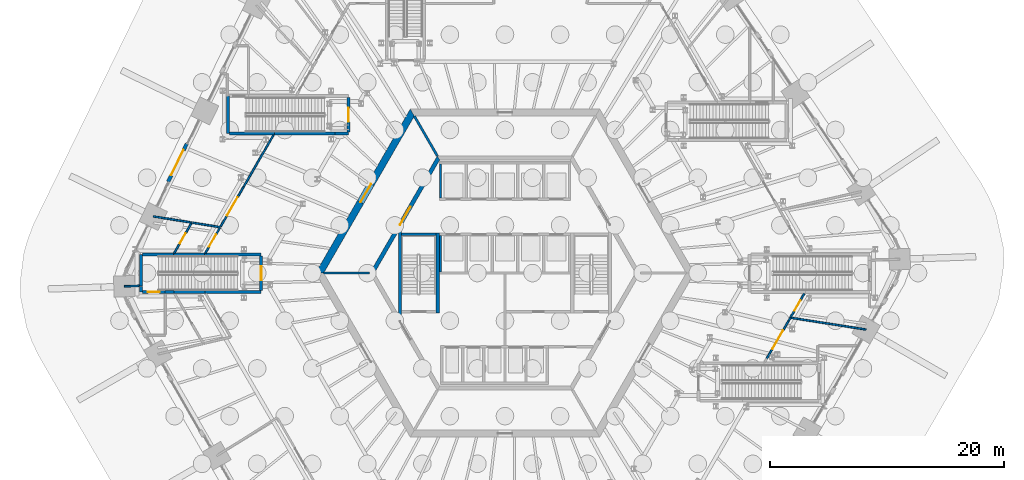
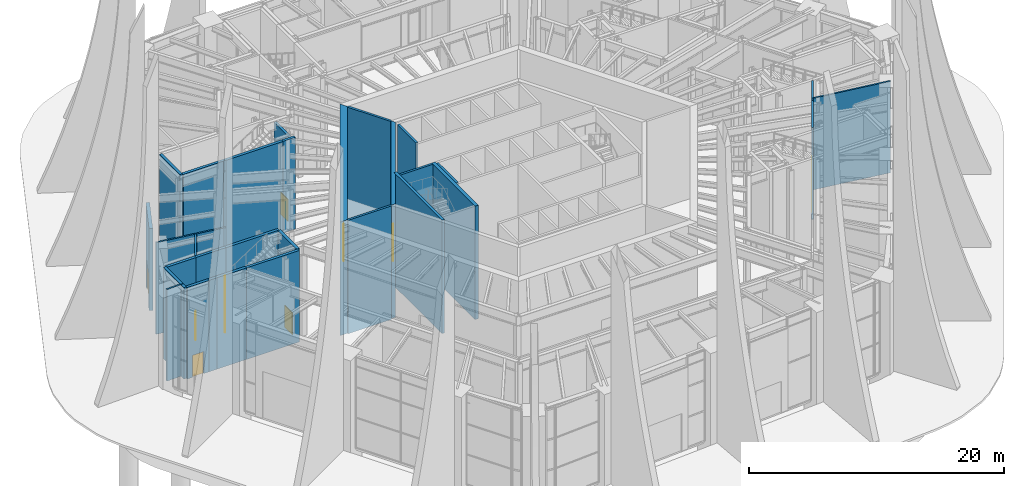
# One storey, part 27 of 43: 37 walls, 11 doors, 11 openings.
"""IFC4 building model written with IfcOpenShell, lengths in metres."""

from ifc_helpers import new_model, si_unit, direction, frame, frame_2d, origin, place, context, subcontext, project, spatial, polyline, rectangle, outline, extrude, material, layer, layer_set, type_object, element, fill, save


model = new_model("IFC4")

# Units and contexts
model_context = context("Model", 3, precision=1e-05, world=origin(), true_north=direction((0.0, 1.0)))
body_context = subcontext(model_context, "Body", "Model", "MODEL_VIEW")
ifc_project = project(units=[si_unit("LENGTHUNIT", "METRE"), si_unit("AREAUNIT", "SQUARE_METRE"), si_unit("VOLUMEUNIT", "CUBIC_METRE"), si_unit("PLANEANGLEUNIT", "RADIAN"), si_unit("MASSUNIT", "GRAM", prefix="KILO")], contexts=[model_context])

# Site, building, storey
site_placement = place(None, origin())
site = spatial("IfcSite", under=ifc_project, at=site_placement, CompositionType="ELEMENT")
building_placement = place(site_placement, origin())
building = spatial("IfcBuilding", under=site, at=building_placement, Name="Tarnside Tower", CompositionType="ELEMENT")
storey_placement = place(building_placement, origin())
storey = spatial("IfcBuildingStorey", under=building, at=storey_placement, Name="L00", CompositionType="ELEMENT", Elevation=0.0)

# Wall, opening, door
ifc_material_1 = material(Name="Concrete C50/60", Category="concrete")
ifc_layer_1 = layer(ifc_material_1, 0.35009765625)
ifc_layer_set_1 = layer_set([ifc_layer_1], Name="Core block wall 350 C50/60")
wall_type_1 = type_object("IfcWallType", Name="Core block wall 350 C50/60", PredefinedType="SHEAR", material=ifc_layer_set_1)
wall_1_placement = place(storey_placement, frame((-5.672607421875, 9.824951171875, -2.10009765625), z_axis=(0.0, 0.0, 1.0), x_axis=(-0.499995046907, -0.866028263435, 0.0)))
wall_1 = element("IfcWall", 1, at=wall_1_placement, inside=storey, type_object=wall_type_1, Name="L00 core block wall face 2", PredefinedType="SHEAR", context=body_context, shape_type="SweptSolid", body=[
    extrude(outline(polyline([(-0.10107421875, -0.175048828125), (11.44580078125, -0.175048828125), (11.24365234375, 0.175048828125), (0.10107421875, 0.175048828125), (-0.10107421875, -0.175048828125)])), origin(), (0.0, 0.0, 1.0), 10.85009765625),
])
opening_1_placement = place(wall_1_placement, frame((4.80126953125, 0.0, 2.10009765625)))
opening_1 = element("IfcOpeningElement", 2, at=opening_1_placement, cuts=wall_1, Name="Opening CD-LOB", PredefinedType="OPENING", context=body_context, shape_type="SweptSolid", body=[
    extrude(rectangle(XDim=1.800048828125, YDim=2.39990234375, at=frame_2d((0.89990234375, 1.199951171875))), frame((0.0, 0.18505859375, 0.0), z_axis=(0.0, -1.0, 0.0), x_axis=(1.0, 0.0, 0.0)), (0.0, 0.0, 1.0), 0.3701171875),
])
ifc_material_2 = material(Name="Steel fire door", Category="steel")
door_type_1 = type_object("IfcDoorType", Name="Lobby double door FD30S 1800x2400", OperationType="NOTDEFINED", PredefinedType="DOOR", material=ifc_material_2)
door_1_placement = place(opening_1_placement, origin())
door_1 = element("IfcDoor", 3, at=door_1_placement, inside=storey, type_object=door_type_1, Name="L00 lobby block door P1", OperationType="DOUBLE_DOOR_SINGLE_SWING", OverallHeight=2.39990234375, OverallWidth=1.800048828125, PredefinedType="DOOR", context=body_context, shape_type="SweptSolid", body=[
    extrude(rectangle(XDim=1.800048828125, YDim=2.39990234375, at=frame_2d((0.89990234375, 1.199951171875))), frame((0.0, 0.02490234375, 0.0), z_axis=(0.0, -1.0, 0.0), x_axis=(1.0, 0.0, 0.0)), (0.0, 0.0, 1.0), 0.050048828125),
])
fill(opening_1, door_1)

ifc_material_3 = material(Name="Concrete C80/95", Category="concrete")
ifc_layer_2 = layer(ifc_material_3, 0.60009765625)
ifc_layer_set_2 = layer_set([ifc_layer_2], Name="Core wall Z1 600 C80/95")
wall_type_2 = type_object("IfcWallType", Name="Core wall Z1 600 C80/95", PredefinedType="SHEAR", material=ifc_layer_set_2)
wall_2_placement = place(storey_placement, frame((-7.90966796875, 13.699951171875, -2.10009765625), z_axis=(0.0, 0.0, 1.0), x_axis=(-0.499999880136, -0.866025472988, 0.0)))
wall_2 = element("IfcWall", 4, at=wall_2_placement, inside=storey, type_object=wall_type_2, Name="L00 core wall face 2", PredefinedType="SHEAR", context=body_context, shape_type="SweptSolid", body=[
    extrude(outline(polyline([(-0.17333984375, -0.300048828125), (15.99267578125, -0.300048828125), (15.64599609375, 0.300048828125), (0.17333984375, 0.300048828125), (-0.17333984375, -0.300048828125)])), origin(), (0.0, 0.0, 1.0), 10.85009765625),
])
opening_2_placement = place(wall_2_placement, frame((7.03857421875, 0.0, 2.10009765625)))
opening_2 = element("IfcOpeningElement", 5, at=opening_2_placement, cuts=wall_2, Name="Opening CD-LOB", PredefinedType="OPENING", context=body_context, shape_type="SweptSolid", body=[
    extrude(rectangle(XDim=1.800048828125, YDim=2.39990234375, at=frame_2d((0.89990234375, 1.199951171875))), frame((0.0, 0.31005859375, 0.0), z_axis=(0.0, -1.0, 0.0), x_axis=(1.0, 0.0, 0.0)), (0.0, 0.0, 1.0), 0.6201171875),
])
door_2_placement = place(opening_2_placement, origin())
door_2 = element("IfcDoor", 6, at=door_2_placement, inside=storey, type_object=door_type_1, Name="L00 core door P1", OperationType="DOUBLE_DOOR_SINGLE_SWING", OverallHeight=2.39990234375, OverallWidth=1.800048828125, PredefinedType="DOOR", context=body_context, shape_type="SweptSolid", body=[
    extrude(rectangle(XDim=1.800048828125, YDim=2.39990234375, at=frame_2d((0.89990234375, 1.199951171875))), frame((0.0, 0.02490234375, 0.0), z_axis=(0.0, -1.0, 0.0), x_axis=(1.0, 0.0, 0.0)), (0.0, 0.0, 1.0), 0.050048828125),
])
fill(opening_2, door_2)

ifc_material_4 = material(Name="Concrete C50/60 white precast", Category="concrete")
ifc_layer_3 = layer(ifc_material_4, 0.300048828125)
ifc_layer_set_3 = layer_set([ifc_layer_3], Name="Entrance portal wall 300")
wall_type_3 = type_object("IfcWallType", Name="Entrance portal wall 300", PredefinedType="SOLIDWALL", material=ifc_layer_set_3)
wall_3_placement = place(storey_placement, frame((-27.166748046875, 11.024169921875, 0.0), z_axis=(0.0, 0.0, 1.0), x_axis=(-0.438348810402, -0.89880494014, 0.0)))
wall_3 = element("IfcWall", 7, at=wall_3_placement, inside=storey, type_object=wall_type_3, Name="Entrance portal wall retail 05", PredefinedType="SOLIDWALL", context=body_context, shape_type="SweptSolid", body=[
    extrude(rectangle(XDim=3.60009765625, YDim=0.300048828125, at=frame_2d((1.800048828125, 0.0))), origin(), (0.0, 0.0, 1.0), 7.823486328125),
])
opening_3_placement = place(wall_3_placement, frame((0.60009765625, 0.0, 0.0)))
opening_3 = element("IfcOpeningElement", 8, at=opening_3_placement, cuts=wall_3, Name="Opening DE2400", PredefinedType="OPENING", context=body_context, shape_type="SweptSolid", body=[
    extrude(rectangle(XDim=2.39990234375, YDim=3.0, at=frame_2d((1.199951171875, 1.5))), frame((0.0, 0.16015625, 0.0), z_axis=(0.0, -1.0, 0.0), x_axis=(1.0, 0.0, 0.0)), (0.0, 0.0, 1.0), 0.320068359375),
])
ifc_material_5 = material(Name="Aluminium-framed toughened glass", Category="aluminium")
door_type_2 = type_object("IfcDoorType", Name="Retail entrance door 2400 x 3000", OperationType="DOUBLE_DOOR_SLIDING", PredefinedType="DOOR", material=ifc_material_5)
door_3_placement = place(opening_3_placement, frame((0.0, -0.02490234375, 0.0)))
door_3 = element("IfcDoor", 9, at=door_3_placement, inside=storey, type_object=door_type_2, Name="Retail entrance door 03", OperationType="DOUBLE_DOOR_SLIDING", OverallHeight=3.0, OverallWidth=2.39990234375, PredefinedType="DOOR", context=body_context, shape_type="SweptSolid", body=[
    extrude(rectangle(XDim=2.39990234375, YDim=3.0, at=frame_2d((1.199951171875, 1.5))), frame((0.0, 0.02490234375, 0.0), z_axis=(0.0, -1.0, 0.0), x_axis=(1.0, 0.0, 0.0)), (0.0, 0.0, 1.0), 0.050048828125),
])
fill(opening_3, door_3)

# Walls
ifc_material_6 = material(Name="Concrete C40/50", Category="concrete")
ifc_layer_4 = layer(ifc_material_6, 0.199951171875)
ifc_layer_set_4 = layer_set([ifc_layer_4], Name="Lift shaft wall 200 C40/50")
wall_type_4 = type_object("IfcWallType", Name="Lift shaft wall 200 C40/50", PredefinedType="SHEAR", material=ifc_layer_set_4)
wall_4_placement = place(storey_placement, frame((-5.5, 6.39990234375, -2.10009765625), z_axis=(0.0, 0.0, 1.0), x_axis=(0.0, 1.0, 0.0)))
element("IfcWall", 10, at=wall_4_placement, inside=storey, type_object=wall_type_4, Name="L00 lift shaft partition R11", PredefinedType="SHEAR", context=body_context, shape_type="SweptSolid", body=[
    extrude(rectangle(XDim=2.900146484375, YDim=0.199951171875, at=frame_2d((1.4501953125, 0.0))), origin(), (0.0, 0.0, 1.0), 10.85009765625),
])
wall_5_placement = place(storey_placement, frame((-5.5, 0.10009765625, -2.10009765625), z_axis=(0.0, 0.0, 1.0), x_axis=(0.0, 1.0, 0.0)))
element("IfcWall", 11, at=wall_5_placement, inside=storey, type_object=wall_type_4, Name="L00 lift shaft partition R21", PredefinedType="SHEAR", context=body_context, shape_type="SweptSolid", body=[
    extrude(rectangle(XDim=3.099853515625, YDim=0.199951171875, at=frame_2d((1.5498046875, 0.0))), origin(), (0.0, 0.0, 1.0), 10.85009765625),
])
wall_6_placement = place(storey_placement, frame((-5.7734375, 10.0, -2.10009765625), z_axis=(0.0, 0.0, 1.0), x_axis=(-0.500038251005, 0.86600331843, 0.0)))
element("IfcWall", 12, at=wall_6_placement, inside=storey, type_object=wall_type_4, Name="L00 core partition AR120", PredefinedType="SHEAR", context=body_context, shape_type="SweptSolid", body=[
    extrude(rectangle(XDim=3.926025390625, YDim=0.199951171875, at=frame_2d((1.962890625, 0.0))), origin(), (0.0, 0.0, 1.0), 10.85009765625),
])
wall_7_placement = place(storey_placement, frame((-11.547119140625, 0.0, -2.10009765625), z_axis=(0.0, 0.0, 1.0), x_axis=(-1.0, 0.0, 0.0)))
element("IfcWall", 13, at=wall_7_placement, inside=storey, type_object=wall_type_4, Name="L00 core partition AR180", PredefinedType="SHEAR", context=body_context, shape_type="SweptSolid", body=[
    extrude(rectangle(XDim=3.92578125, YDim=0.199951171875, at=frame_2d((1.962890625, 0.0))), origin(), (0.0, 0.0, 1.0), 10.85009765625),
])
wall_8_placement = place(storey_placement, frame((-8.85009765625, 3.300048828125, -2.10009765625), z_axis=(0.0, 0.0, 1.0), x_axis=(1.0, 0.0, 0.0)))
element("IfcWall", 14, at=wall_8_placement, inside=storey, type_object=wall_type_4, Name="L00 stair 2 enclosure cap wall n", PredefinedType="SHEAR", context=body_context, shape_type="SweptSolid", body=[
    extrude(rectangle(XDim=2.9501953125, YDim=0.199951171875, at=frame_2d((1.47509765625, 0.0))), origin(), (0.0, 0.0, 1.0), 10.85009765625),
])
ifc_material_7 = material(Name="Gypsum board")
ifc_layer_5 = layer(ifc_material_7, 0.14990234375)
ifc_layer_set_5 = layer_set([ifc_layer_5], Name="Partition 150 gypsum board on metal stud")
wall_type_5 = type_object("IfcWallType", Name="Partition 150 gypsum board on metal stud", PredefinedType="PARTITIONING", material=ifc_layer_set_5)
wall_9_placement = place(storey_placement, frame((-32.486083984375, -1.134033203125, 0.0), z_axis=(0.0, 0.0, 1.0), x_axis=(0.99939717978, 0.034717100209, 0.0)))
element("IfcWall", 15, at=wall_9_placement, inside=storey, type_object=wall_type_5, Name="Partition 000", PredefinedType="PARTITIONING", context=body_context, shape_type="SweptSolid", body=[
    extrude(rectangle(XDim=1.286865234375, YDim=0.14990234375, at=frame_2d((0.6435546875, 0.0))), origin(), (0.0, 0.0, 1.0), 8.75),
])
wall_10_placement = place(storey_placement, frame((-30.01806640625, 4.8359375, 0.0), z_axis=(0.0, 0.0, 1.0), x_axis=(0.987270453079, -0.159050471478, 0.0)))
element("IfcWall", 16, at=wall_10_placement, inside=storey, type_object=wall_type_5, Name="Partition 005", PredefinedType="PARTITIONING", context=body_context, shape_type="SweptSolid", body=[
    extrude(rectangle(XDim=3.33251953125, YDim=0.14990234375, at=frame_2d((1.666259765625, 0.0))), origin(), (0.0, 0.0, 1.0), 8.75),
])

# Wall, opening, door
wall_11_placement = place(storey_placement, frame((-28.23291015625, 1.699951171875, 0.0), z_axis=(0.0, 0.0, 1.0), x_axis=(0.500083180475, 0.865977374189, 0.0)))
wall_11 = element("IfcWall", 17, at=wall_11_placement, inside=storey, type_object=wall_type_5, Name="Partition 011", PredefinedType="PARTITIONING", context=body_context, shape_type="SweptSolid", body=[
    extrude(rectangle(XDim=2.92919921875, YDim=0.14990234375, at=frame_2d((1.464599609375, 0.0))), origin(), (0.0, 0.0, 1.0), 8.75),
])
opening_4_placement = place(wall_11_placement, frame((0.964599609375, 0.0, 0.0)))
opening_4 = element("IfcOpeningElement", 18, at=opening_4_placement, cuts=wall_11, Name="Opening D1000", PredefinedType="OPENING", context=body_context, shape_type="SweptSolid", body=[
    extrude(rectangle(XDim=1.0, YDim=2.10009765625, at=frame_2d((0.5, 1.050048828125))), frame((0.0, 0.0849609375, 0.0), z_axis=(0.0, -1.0, 0.0), x_axis=(1.0, 0.0, 0.0)), (0.0, 0.0, 1.0), 0.169921875),
])
ifc_material_8 = material(Name="Timber door leaf", Category="wood")
door_type_3 = type_object("IfcDoorType", Name="Door 1000 x 2100 single leaf", OperationType="NOTDEFINED", PredefinedType="DOOR", material=ifc_material_8)
door_4_placement = place(opening_4_placement, origin())
door_4 = element("IfcDoor", 19, at=door_4_placement, inside=storey, type_object=door_type_3, Name="Door L00-03", OperationType="SINGLE_SWING_RIGHT", OverallHeight=2.10009765625, OverallWidth=1.0, PredefinedType="DOOR", context=body_context, shape_type="SweptSolid", body=[
    extrude(rectangle(XDim=1.0, YDim=2.10009765625, at=frame_2d((0.5, 1.050048828125))), frame((0.0, 0.02490234375, 0.0), z_axis=(0.0, -1.0, 0.0), x_axis=(1.0, 0.0, 0.0)), (0.0, 0.0, 1.0), 0.050048828125),
])
fill(opening_4, door_4)

# Wall
wall_12_placement = place(storey_placement, frame((-26.648681640625, 4.293212890625, 0.0), z_axis=(0.0, 0.0, 1.0), x_axis=(0.987239560751, -0.159242110287, 0.0)))
element("IfcWall", 20, at=wall_12_placement, inside=storey, type_object=wall_type_5, Name="Partition 012", PredefinedType="PARTITIONING", context=body_context, shape_type="SweptSolid", body=[
    extrude(rectangle(XDim=2.380859375, YDim=0.14990234375, at=frame_2d((1.1904296875, 0.0))), origin(), (0.0, 0.0, 1.0), 8.75),
])

# Wall, opening, door
wall_13_placement = place(storey_placement, frame((-24.338134765625, 3.844482421875, 0.0), z_axis=(0.0, 0.0, 1.0), x_axis=(-0.500188907164, -0.865916310708, 0.0)))
wall_13 = element("IfcWall", 21, at=wall_13_placement, inside=storey, type_object=wall_type_5, Name="Partition 018", PredefinedType="PARTITIONING", context=body_context, shape_type="SweptSolid", body=[
    extrude(rectangle(XDim=2.4765625, YDim=0.14990234375, at=frame_2d((1.23828125, 0.0))), origin(), (0.0, 0.0, 1.0), 8.75),
])
opening_5_placement = place(wall_13_placement, frame((0.63818359375, 0.0, 0.0)))
opening_5 = element("IfcOpeningElement", 22, at=opening_5_placement, cuts=wall_13, Name="Opening D1200", PredefinedType="OPENING", context=body_context, shape_type="SweptSolid", body=[
    extrude(rectangle(XDim=1.199951171875, YDim=2.10009765625, at=frame_2d((0.60009765625, 1.050048828125))), frame((0.0, 0.0849609375, 0.0), z_axis=(0.0, -1.0, 0.0), x_axis=(1.0, 0.0, 0.0)), (0.0, 0.0, 1.0), 0.169921875),
])
door_type_4 = type_object("IfcDoorType", Name="Door 1200 x 2100 single leaf", OperationType="NOTDEFINED", PredefinedType="DOOR", material=ifc_material_8)
door_5_placement = place(opening_5_placement, origin())
door_5 = element("IfcDoor", 23, at=door_5_placement, inside=storey, type_object=door_type_4, Name="Door L00-05", OperationType="SINGLE_SWING_RIGHT", OverallHeight=2.10009765625, OverallWidth=1.199951171875, PredefinedType="DOOR", context=body_context, shape_type="SweptSolid", body=[
    extrude(rectangle(XDim=1.199951171875, YDim=2.10009765625, at=frame_2d((0.60009765625, 1.050048828125))), frame((0.0, 0.02490234375, 0.0), z_axis=(0.0, -1.0, 0.0), x_axis=(1.0, 0.0, 0.0)), (0.0, 0.0, 1.0), 0.050048828125),
])
fill(opening_5, door_5)

wall_14_placement = place(storey_placement, frame((-24.2578125, 3.9833984375, 0.0), z_axis=(0.0, 0.0, 1.0), x_axis=(0.500095273167, 0.865970390808, 0.0)))
wall_14 = element("IfcWall", 24, at=wall_14_placement, inside=storey, type_object=wall_type_5, Name="Partition 024", PredefinedType="PARTITIONING", context=body_context, shape_type="SweptSolid", body=[
    extrude(rectangle(XDim=3.948974609375, YDim=0.14990234375, at=frame_2d((1.974609375, 0.0))), origin(), (0.0, 0.0, 1.0), 8.75),
])
opening_6_placement = place(wall_14_placement, frame((1.074462890625, 0.0, 0.0)))
opening_6 = element("IfcOpeningElement", 25, at=opening_6_placement, cuts=wall_14, Name="Opening D1800F30", PredefinedType="OPENING", context=body_context, shape_type="SweptSolid", body=[
    extrude(rectangle(XDim=1.800048828125, YDim=2.10009765625, at=frame_2d((0.89990234375, 1.050048828125))), frame((0.0, 0.0849609375, 0.0), z_axis=(0.0, -1.0, 0.0), x_axis=(1.0, 0.0, 0.0)), (0.0, 0.0, 1.0), 0.169921875),
])
door_type_5 = type_object("IfcDoorType", Name="Door pair 1800 x 2100 FD30S fire door", OperationType="NOTDEFINED", PredefinedType="DOOR", material=ifc_material_8)
door_6_placement = place(opening_6_placement, origin())
door_6 = element("IfcDoor", 26, at=door_6_placement, inside=storey, type_object=door_type_5, Name="Door L00-06", OperationType="DOUBLE_DOOR_SINGLE_SWING", OverallHeight=2.10009765625, OverallWidth=1.800048828125, PredefinedType="DOOR", context=body_context, shape_type="SweptSolid", body=[
    extrude(rectangle(XDim=1.800048828125, YDim=2.10009765625, at=frame_2d((0.89990234375, 1.050048828125))), frame((0.0, 0.02490234375, 0.0), z_axis=(0.0, -1.0, 0.0), x_axis=(1.0, 0.0, 0.0)), (0.0, 0.0, 1.0), 0.050048828125),
])
fill(opening_6, door_6)

# Walls
wall_15_placement = place(storey_placement, frame((-20.468994140625, 10.5458984375, 0.0), z_axis=(0.0, 0.0, 1.0), x_axis=(-0.499917465472, -0.866073049873, 0.0)))
element("IfcWall", 27, at=wall_15_placement, inside=storey, type_object=wall_type_5, Name="Partition 031", PredefinedType="PARTITIONING", context=body_context, shape_type="SweptSolid", body=[
    extrude(rectangle(XDim=3.6484375, YDim=0.14990234375, at=frame_2d((1.82421875, 0.0))), origin(), (0.0, 0.0, 1.0), 8.75),
])
wall_16_placement = place(storey_placement, frame((-19.75927734375, 11.77490234375, 0.0), z_axis=(0.0, 0.0, 1.0), x_axis=(-0.499932865626, -0.866064160364, 0.0)))
element("IfcWall", 28, at=wall_16_placement, inside=storey, type_object=wall_type_5, Name="Partition 033", PredefinedType="PARTITIONING", context=body_context, shape_type="SweptSolid", body=[
    extrude(rectangle(XDim=1.439697265625, YDim=0.14990234375, at=frame_2d((0.7197265625, 0.0))), origin(), (0.0, 0.0, 1.0), 8.75),
])

# Wall, opening, door
wall_17_placement = place(storey_placement, frame((22.327880859375, -7.325927734375, 0.0), z_axis=(0.0, 0.0, 1.0), x_axis=(0.499922466183, 0.866070163327, 0.0)))
wall_17 = element("IfcWall", 29, at=wall_17_placement, inside=storey, type_object=wall_type_5, Name="Partition 101", PredefinedType="PARTITIONING", context=body_context, shape_type="SweptSolid", body=[
    extrude(rectangle(XDim=3.7685546875, YDim=0.14990234375, at=frame_2d((1.88427734375, 0.0))), origin(), (0.0, 0.0, 1.0), 8.75),
])
opening_7_placement = place(wall_17_placement, frame((0.984375, 0.0, 0.0)))
opening_7 = element("IfcOpeningElement", 30, at=opening_7_placement, cuts=wall_17, Name="Opening D1800F30", PredefinedType="OPENING", context=body_context, shape_type="SweptSolid", body=[
    extrude(rectangle(XDim=1.800048828125, YDim=2.10009765625, at=frame_2d((0.89990234375, 1.050048828125))), frame((0.0, 0.0849609375, 0.0), z_axis=(0.0, -1.0, 0.0), x_axis=(1.0, 0.0, 0.0)), (0.0, 0.0, 1.0), 0.169921875),
])
door_7_placement = place(opening_7_placement, origin())
door_7 = element("IfcDoor", 31, at=door_7_placement, inside=storey, type_object=door_type_5, Name="Door L00-29", OperationType="DOUBLE_DOOR_SINGLE_SWING", OverallHeight=2.10009765625, OverallWidth=1.800048828125, PredefinedType="DOOR", context=body_context, shape_type="SweptSolid", body=[
    extrude(rectangle(XDim=1.800048828125, YDim=2.10009765625, at=frame_2d((0.89990234375, 1.050048828125))), frame((0.0, 0.02490234375, 0.0), z_axis=(0.0, -1.0, 0.0), x_axis=(1.0, 0.0, 0.0)), (0.0, 0.0, 1.0), 0.050048828125),
])
fill(opening_7, door_7)

# Wall
wall_18_placement = place(storey_placement, frame((24.201904296875, -4.0791015625, 0.0), z_axis=(0.0, 0.0, 1.0), x_axis=(0.501624101268, 0.865085695771, 0.0)))
element("IfcWall", 32, at=wall_18_placement, inside=storey, type_object=wall_type_5, Name="Partition 108", PredefinedType="PARTITIONING", context=body_context, shape_type="SweptSolid", body=[
    extrude(rectangle(XDim=0.31103515625, YDim=0.14990234375, at=frame_2d((0.155517578125, 0.0))), origin(), (0.0, 0.0, 1.0), 8.75),
])

# Wall, opening, door
wall_19_placement = place(storey_placement, frame((24.35791015625, -3.81005859375, 0.0), z_axis=(0.0, 0.0, 1.0), x_axis=(0.500178430292, 0.865922362496, 0.0)))
wall_19 = element("IfcWall", 33, at=wall_19_placement, inside=storey, type_object=wall_type_5, Name="Partition 109", PredefinedType="PARTITIONING", context=body_context, shape_type="SweptSolid", body=[
    extrude(rectangle(XDim=2.379150390625, YDim=0.14990234375, at=frame_2d((1.189453125, 0.0))), origin(), (0.0, 0.0, 1.0), 8.75),
])
opening_8_placement = place(wall_19_placement, frame((0.689453125, 0.0, 0.0)))
opening_8 = element("IfcOpeningElement", 34, at=opening_8_placement, cuts=wall_19, Name="Opening D1000F30", PredefinedType="OPENING", context=body_context, shape_type="SweptSolid", body=[
    extrude(rectangle(XDim=1.0, YDim=2.10009765625, at=frame_2d((0.5, 1.050048828125))), frame((0.0, 0.0849609375, 0.0), z_axis=(0.0, -1.0, 0.0), x_axis=(1.0, 0.0, 0.0)), (0.0, 0.0, 1.0), 0.169921875),
])
door_type_6 = type_object("IfcDoorType", Name="Door 1000 x 2100 single leaf FD30S fire door", OperationType="NOTDEFINED", PredefinedType="DOOR", material=ifc_material_8)
door_8_placement = place(opening_8_placement, origin())
door_8 = element("IfcDoor", 35, at=door_8_placement, inside=storey, type_object=door_type_6, Name="Door L00-32", OperationType="SINGLE_SWING_LEFT", OverallHeight=2.10009765625, OverallWidth=1.0, PredefinedType="DOOR", context=body_context, shape_type="SweptSolid", body=[
    extrude(rectangle(XDim=1.0, YDim=2.10009765625, at=frame_2d((0.5, 1.050048828125))), frame((0.0, 0.02490234375, 0.0), z_axis=(0.0, -1.0, 0.0), x_axis=(1.0, 0.0, 0.0)), (0.0, 0.0, 1.0), 0.050048828125),
])
fill(opening_8, door_8)

# Walls
wall_20_placement = place(storey_placement, frame((30.819091796875, -4.820068359375, 0.0), z_axis=(0.0, 0.0, 1.0), x_axis=(-0.988001762329, 0.154442603041, 0.0)))
element("IfcWall", 36, at=wall_20_placement, inside=storey, type_object=wall_type_5, Name="Partition 120", PredefinedType="PARTITIONING", context=body_context, shape_type="SweptSolid", body=[
    extrude(rectangle(XDim=6.458984375, YDim=0.14990234375, at=frame_2d((3.2294921875, 0.0))), origin(), (0.0, 0.0, 1.0), 8.75),
])
ifc_layer_6 = layer(ifc_material_6, 0.25)
ifc_layer_set_6 = layer_set([ifc_layer_6], Name="Stair enclosure wall 250 C40/50")
wall_type_6 = type_object("IfcWallType", Name="Stair enclosure wall 250 C40/50", PredefinedType="SHEAR", material=ifc_layer_set_6)
wall_21_placement = place(storey_placement, frame((-8.97509765625, -3.7548828125, -2.10009765625), z_axis=(0.0, 0.0, 1.0), x_axis=(0.0, 1.0, 0.0)))
element("IfcWall", 37, at=wall_21_placement, inside=storey, type_object=wall_type_6, Name="L00 stair 2 enclosure wall outer", PredefinedType="SHEAR", context=body_context, shape_type="SweptSolid", body=[
    extrude(rectangle(XDim=7.509765625, YDim=0.25, at=frame_2d((3.7548828125, 0.0))), origin(), (0.0, 0.0, 1.0), 10.85009765625),
])
ifc_layer_7 = layer(ifc_material_6, 0.300048828125)
ifc_layer_set_7 = layer_set([ifc_layer_7], Name="Stair enclosure wall 300 C40/50")
wall_type_7 = type_object("IfcWallType", Name="Stair enclosure wall 300 C40/50", PredefinedType="SHEAR", material=ifc_layer_set_7)
wall_22_placement = place(storey_placement, frame((-5.75, -3.39990234375, -2.10009765625), z_axis=(0.0, 0.0, 1.0), x_axis=(0.0, 1.0, 0.0)))
element("IfcWall", 38, at=wall_22_placement, inside=storey, type_object=wall_type_7, Name="L00 stair 2 enclosure wall inner", PredefinedType="SHEAR", context=body_context, shape_type="SweptSolid", body=[
    extrude(rectangle(XDim=6.7998046875, YDim=0.300048828125, at=frame_2d((3.39990234375, 0.0))), origin(), (0.0, 0.0, 1.0), 10.85009765625),
])

# Wall, opening, door
ifc_material_9 = material(Name="Concrete C32/40", Category="concrete")
ifc_layer_8 = layer(ifc_material_9, 0.25)
ifc_layer_set_8 = layer_set([ifc_layer_8], Name="Wall 250 reinforced Concrete C32/40")
wall_type_8 = type_object("IfcWallType", Name="Wall 250 reinforced Concrete C32/40", PredefinedType="PARTITIONING", material=ifc_layer_set_8)
wall_23_placement = place(storey_placement, frame((-29.0, -1.625, 0.0), z_axis=(0.0, 0.0, 1.0), x_axis=(-1.0, 0.0, 0.0)))
wall_23 = element("IfcWall", 39, at=wall_23_placement, inside=storey, type_object=wall_type_8, Name="Partition 001", PredefinedType="PARTITIONING", context=body_context, shape_type="SweptSolid", body=[
    extrude(rectangle(XDim=1.949951171875, YDim=0.25, at=frame_2d((0.97509765625, 0.0))), origin(), (0.0, 0.0, 1.0), 8.75),
])
opening_9_placement = place(wall_23_placement, frame((0.47509765625, 0.0, 0.0)))
opening_9 = element("IfcOpeningElement", 40, at=opening_9_placement, cuts=wall_23, Name="Opening D1000F60S", PredefinedType="OPENING", context=body_context, shape_type="SweptSolid", body=[
    extrude(rectangle(XDim=1.0, YDim=2.10009765625, at=frame_2d((0.5, 1.050048828125))), frame((0.0, 0.135009765625, 0.0), z_axis=(0.0, -1.0, 0.0), x_axis=(1.0, 0.0, 0.0)), (0.0, 0.0, 1.0), 0.27001953125),
])
door_type_7 = type_object("IfcDoorType", Name="Door 1000 x 2100 single leaf FD60S fire door", OperationType="NOTDEFINED", PredefinedType="DOOR", material=ifc_material_8)
door_9_placement = place(opening_9_placement, origin())
door_9 = element("IfcDoor", 41, at=door_9_placement, inside=storey, type_object=door_type_7, Name="Door L00-01", OperationType="SINGLE_SWING_RIGHT", OverallHeight=2.10009765625, OverallWidth=1.0, PredefinedType="DOOR", context=body_context, shape_type="SweptSolid", body=[
    extrude(rectangle(XDim=1.0, YDim=2.10009765625, at=frame_2d((0.5, 1.050048828125))), frame((0.0, 0.02490234375, 0.0), z_axis=(0.0, -1.0, 0.0), x_axis=(1.0, 0.0, 0.0)), (0.0, 0.0, 1.0), 0.050048828125),
])
fill(opening_9, door_9)

# Walls
wall_24_placement = place(storey_placement, frame((-31.074951171875, -1.094970703125, 0.0), z_axis=(0.0, 0.0, 1.0), x_axis=(0.0, 1.0, 0.0)))
element("IfcWall", 42, at=wall_24_placement, inside=storey, type_object=wall_type_8, Name="Partition 002", PredefinedType="PARTITIONING", context=body_context, shape_type="SweptSolid", body=[
    extrude(rectangle(XDim=2.669921875, YDim=0.25, at=frame_2d((1.3349609375, 0.0))), origin(), (0.0, 0.0, 1.0), 8.75),
])
wall_25_placement = place(storey_placement, frame((-31.074951171875, -1.16015625, 0.0), z_axis=(0.0, 0.0, 1.0), x_axis=(0.0, -1.0, 0.0)))
element("IfcWall", 43, at=wall_25_placement, inside=storey, type_object=wall_type_8, Name="Partition 003", PredefinedType="PARTITIONING", context=body_context, shape_type="SweptSolid", body=[
    extrude(rectangle(XDim=0.46484375, YDim=0.25, at=frame_2d((0.232421875, 0.0))), origin(), (0.0, 0.0, 1.0), 8.75),
])
wall_26_placement = place(storey_placement, frame((-30.949951171875, 1.574951171875, 0.0), z_axis=(0.0, 0.0, 1.0), x_axis=(1.0, 0.0, 0.0)))
element("IfcWall", 44, at=wall_26_placement, inside=storey, type_object=wall_type_8, Name="Partition 004", PredefinedType="PARTITIONING", context=body_context, shape_type="SweptSolid", body=[
    extrude(rectangle(XDim=2.656982421875, YDim=0.25, at=frame_2d((1.32861328125, 0.0))), origin(), (0.0, 0.0, 1.0), 8.75),
])
wall_27_placement = place(storey_placement, frame((-28.31494140625, 1.574951171875, 0.0), z_axis=(0.0, 0.0, 1.0), x_axis=(1.0, 0.0, 0.0)))
element("IfcWall", 45, at=wall_27_placement, inside=storey, type_object=wall_type_8, Name="Partition 008", PredefinedType="PARTITIONING", context=body_context, shape_type="SweptSolid", body=[
    extrude(rectangle(XDim=2.677978515625, YDim=0.25, at=frame_2d((1.3388671875, 0.0))), origin(), (0.0, 0.0, 1.0), 8.75),
])
wall_28_placement = place(storey_placement, frame((-28.263916015625, -1.625, 0.0), z_axis=(0.0, 0.0, 1.0), x_axis=(-1.0, 0.0, 0.0)))
element("IfcWall", 46, at=wall_28_placement, inside=storey, type_object=wall_type_8, Name="Partition 010", PredefinedType="PARTITIONING", context=body_context, shape_type="SweptSolid", body=[
    extrude(rectangle(XDim=0.74609375, YDim=0.25, at=frame_2d((0.373046875, 0.0))), origin(), (0.0, 0.0, 1.0), 8.75),
])
wall_29_placement = place(storey_placement, frame((-25.658935546875, 1.574951171875, 0.0), z_axis=(0.0, 0.0, 1.0), x_axis=(1.0, 0.0, 0.0)))
element("IfcWall", 47, at=wall_29_placement, inside=storey, type_object=wall_type_8, Name="Partition 014", PredefinedType="PARTITIONING", context=body_context, shape_type="SweptSolid", body=[
    extrude(rectangle(XDim=4.85400390625, YDim=0.25, at=frame_2d((2.427001953125, 0.0))), origin(), (0.0, 0.0, 1.0), 8.75),
])
wall_30_placement = place(storey_placement, frame((-25.60791015625, -1.625, 0.0), z_axis=(0.0, 0.0, 1.0), x_axis=(-1.0, 0.0, 0.0)))
element("IfcWall", 48, at=wall_30_placement, inside=storey, type_object=wall_type_8, Name="Partition 016", PredefinedType="PARTITIONING", context=body_context, shape_type="SweptSolid", body=[
    extrude(rectangle(XDim=2.677978515625, YDim=0.25, at=frame_2d((1.3388671875, 0.0))), origin(), (0.0, 0.0, 1.0), 8.75),
])
wall_31_placement = place(storey_placement, frame((-23.635009765625, 11.89990234375, 0.0), z_axis=(0.0, 0.0, 1.0), x_axis=(0.0, 1.0, 0.0)))
element("IfcWall", 49, at=wall_31_placement, inside=storey, type_object=wall_type_8, Name="Partition 021", PredefinedType="PARTITIONING", context=body_context, shape_type="SweptSolid", body=[
    extrude(rectangle(XDim=3.2001953125, YDim=0.25, at=frame_2d((1.60009765625, 0.0))), origin(), (0.0, 0.0, 1.0), 8.75),
])
wall_32_placement = place(storey_placement, frame((-20.804931640625, -1.625, 0.0), z_axis=(0.0, 0.0, 1.0), x_axis=(-1.0, 0.0, 0.0)))
element("IfcWall", 50, at=wall_32_placement, inside=storey, type_object=wall_type_8, Name="Partition 029", PredefinedType="PARTITIONING", context=body_context, shape_type="SweptSolid", body=[
    extrude(rectangle(XDim=4.824951171875, YDim=0.25, at=frame_2d((2.41259765625, 0.0))), origin(), (0.0, 0.0, 1.0), 8.75),
])

# Wall, opening, door
wall_33_placement = place(storey_placement, frame((-20.804931640625, 1.449951171875, 0.0), z_axis=(0.0, 0.0, 1.0), x_axis=(0.0, -1.0, 0.0)))
wall_33 = element("IfcWall", 51, at=wall_33_placement, inside=storey, type_object=wall_type_8, Name="Partition 030", PredefinedType="PARTITIONING", context=body_context, shape_type="SweptSolid", body=[
    extrude(rectangle(XDim=2.949951171875, YDim=0.25, at=frame_2d((1.47509765625, 0.0))), origin(), (0.0, 0.0, 1.0), 8.75),
])
opening_10_placement = place(wall_33_placement, frame((0.875, 0.0, 0.0)))
opening_10 = element("IfcOpeningElement", 52, at=opening_10_placement, cuts=wall_33, Name="Opening D1200F60S", PredefinedType="OPENING", context=body_context, shape_type="SweptSolid", body=[
    extrude(rectangle(XDim=1.199951171875, YDim=2.10009765625, at=frame_2d((0.60009765625, 1.050048828125))), frame((0.0, 0.135009765625, 0.0), z_axis=(0.0, -1.0, 0.0), x_axis=(1.0, 0.0, 0.0)), (0.0, 0.0, 1.0), 0.27001953125),
])
door_type_8 = type_object("IfcDoorType", Name="Door 1200 x 2100 single leaf FD60S fire door", OperationType="NOTDEFINED", PredefinedType="DOOR", material=ifc_material_8)
door_10_placement = place(opening_10_placement, origin())
door_10 = element("IfcDoor", 53, at=door_10_placement, inside=storey, type_object=door_type_8, Name="Door L00-08", OperationType="SINGLE_SWING_LEFT", OverallHeight=2.10009765625, OverallWidth=1.199951171875, PredefinedType="DOOR", context=body_context, shape_type="SweptSolid", body=[
    extrude(rectangle(XDim=1.199951171875, YDim=2.10009765625, at=frame_2d((0.60009765625, 1.050048828125))), frame((0.0, 0.02490234375, 0.0), z_axis=(0.0, -1.0, 0.0), x_axis=(1.0, 0.0, 0.0)), (0.0, 0.0, 1.0), 0.050048828125),
])
fill(opening_10, door_10)

# Walls
wall_34_placement = place(storey_placement, frame((-19.677001953125, 11.89990234375, 0.0), z_axis=(0.0, 0.0, 1.0), x_axis=(-1.0, 0.0, 0.0)))
element("IfcWall", 54, at=wall_34_placement, inside=storey, type_object=wall_type_8, Name="Partition 034", PredefinedType="PARTITIONING", context=body_context, shape_type="SweptSolid", body=[
    extrude(rectangle(XDim=3.8330078125, YDim=0.25, at=frame_2d((1.91650390625, 0.0))), origin(), (0.0, 0.0, 1.0), 8.75),
])
wall_35_placement = place(storey_placement, frame((-14.48095703125, 11.89990234375, 0.0), z_axis=(0.0, 0.0, 1.0), x_axis=(-1.0, 0.0, 0.0)))
element("IfcWall", 55, at=wall_35_placement, inside=storey, type_object=wall_type_8, Name="Partition 044", PredefinedType="PARTITIONING", context=body_context, shape_type="SweptSolid", body=[
    extrude(rectangle(XDim=5.218994140625, YDim=0.25, at=frame_2d((2.609375, 0.0))), origin(), (0.0, 0.0, 1.0), 8.75),
])
wall_36_placement = place(storey_placement, frame((-13.364990234375, 11.89990234375, 0.0), z_axis=(0.0, 0.0, 1.0), x_axis=(-1.0, 0.0, 0.0)))
element("IfcWall", 56, at=wall_36_placement, inside=storey, type_object=wall_type_8, Name="Partition 046", PredefinedType="PARTITIONING", context=body_context, shape_type="SweptSolid", body=[
    extrude(rectangle(XDim=1.137939453125, YDim=0.25, at=frame_2d((0.56884765625, 0.0))), origin(), (0.0, 0.0, 1.0), 8.75),
])

# Wall, opening, door
wall_37_placement = place(storey_placement, frame((-13.364990234375, 14.97509765625, 0.0), z_axis=(0.0, 0.0, 1.0), x_axis=(0.0, -1.0, 0.0)))
wall_37 = element("IfcWall", 57, at=wall_37_placement, inside=storey, type_object=wall_type_8, Name="Partition 047", PredefinedType="PARTITIONING", context=body_context, shape_type="SweptSolid", body=[
    extrude(rectangle(XDim=2.9501953125, YDim=0.25, at=frame_2d((1.47509765625, 0.0))), origin(), (0.0, 0.0, 1.0), 8.296630859375),
])
opening_11_placement = place(wall_37_placement, frame((0.875, 0.0, 0.0)))
opening_11 = element("IfcOpeningElement", 58, at=opening_11_placement, cuts=wall_37, Name="Opening D1200F60S", PredefinedType="OPENING", context=body_context, shape_type="SweptSolid", body=[
    extrude(rectangle(XDim=1.199951171875, YDim=2.10009765625, at=frame_2d((0.60009765625, 1.050048828125))), frame((0.0, 0.135009765625, 0.0), z_axis=(0.0, -1.0, 0.0), x_axis=(1.0, 0.0, 0.0)), (0.0, 0.0, 1.0), 0.27001953125),
])
door_11_placement = place(opening_11_placement, origin())
door_11 = element("IfcDoor", 59, at=door_11_placement, inside=storey, type_object=door_type_8, Name="Door L00-14", OperationType="SINGLE_SWING_LEFT", OverallHeight=2.10009765625, OverallWidth=1.199951171875, PredefinedType="DOOR", context=body_context, shape_type="SweptSolid", body=[
    extrude(rectangle(XDim=1.199951171875, YDim=2.10009765625, at=frame_2d((0.60009765625, 1.050048828125))), frame((0.0, 0.02490234375, 0.0), z_axis=(0.0, -1.0, 0.0), x_axis=(1.0, 0.0, 0.0)), (0.0, 0.0, 1.0), 0.050048828125),
])
fill(opening_11, door_11)

save(model, "model.ifc")
